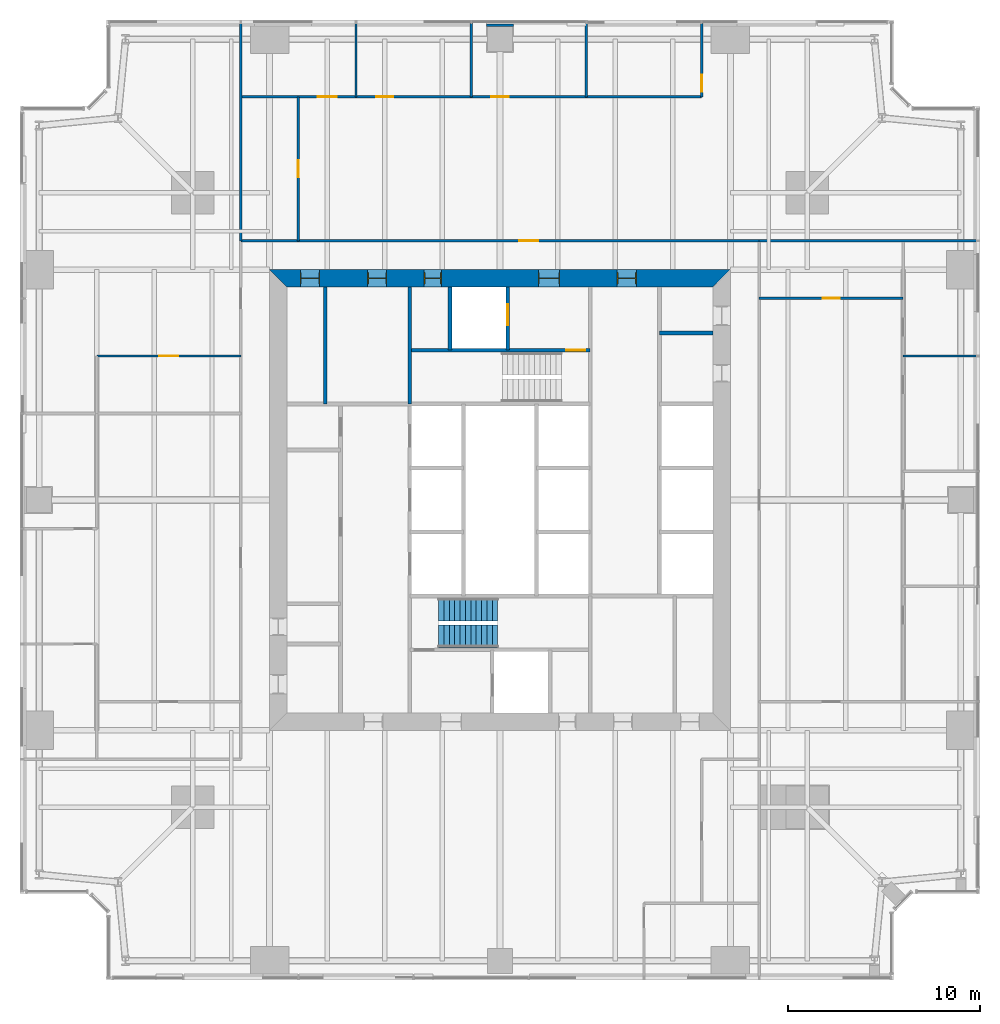
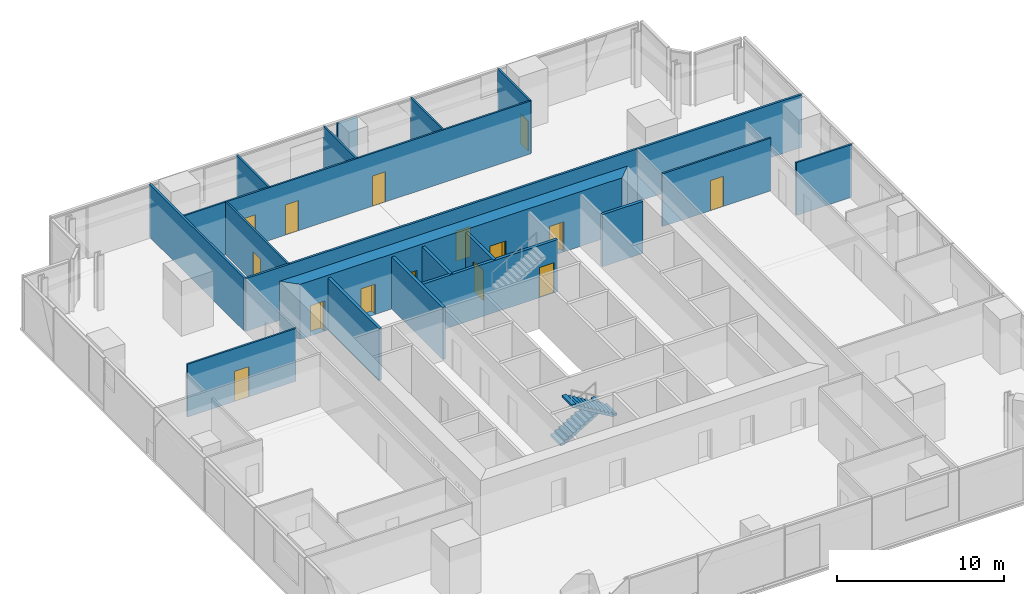
# One storey, part 11 of 14: 20 walls, 15 doors, 2 stair flights, 15 openings, 1 element without a shape of its own.
"""IFC4 building model written with IfcOpenShell, lengths in metres."""

from ifc_helpers import new_model, si_unit, direction, frame, frame_2d, origin, place, context, subcontext, project, spatial, polyline, rectangle, outline, extrude, material, layer, layer_set, type_object, element, fill, aggregate, save


model = new_model("IFC4")

# Units and contexts
model_context = context("Model", 3, precision=1e-05, world=origin(), true_north=direction((0.0, 1.0)))
body_context = subcontext(model_context, "Body", "Model", "MODEL_VIEW")
ifc_project = project(units=[si_unit("LENGTHUNIT", "METRE"), si_unit("AREAUNIT", "SQUARE_METRE"), si_unit("VOLUMEUNIT", "CUBIC_METRE"), si_unit("PLANEANGLEUNIT", "RADIAN"), si_unit("MASSUNIT", "GRAM", prefix="KILO")], contexts=[model_context])

# Site, building, storey
site_placement = place(None, origin())
site = spatial("IfcSite", under=ifc_project, at=site_placement, CompositionType="ELEMENT")
building_placement = place(site_placement, origin())
building = spatial("IfcBuilding", under=site, at=building_placement, Name="Fenwick Lantern Interchange", CompositionType="ELEMENT")
storey_placement = place(building_placement, frame((0.0, 0.0, 134.39990234375)))
storey = spatial("IfcBuildingStorey", under=building, at=storey_placement, Name="L31", CompositionType="ELEMENT", Elevation=134.39990234375)

# Wall
ifc_material_1 = material(Name="Fire-rated gypsum board encasement on steel studs, 2 hour", Category="steel")
ifc_layer_1 = layer(ifc_material_1, 1.39990234375)
ifc_layer_set_1 = layer_set([ifc_layer_1], Name="COLUMN PIER 1400")
wall_type_1 = type_object("IfcWallType", Name="COLUMN PIER 1400", PredefinedType="PARTITIONING", material=ifc_layer_set_1)
wall_1_placement = place(storey_placement, frame((25.0, 49.800048828125, 0.0), z_axis=(0.0, 0.0, 1.0), x_axis=(0.0, -1.0, 0.0)))
element("IfcWall", 1, at=wall_1_placement, inside=storey, type_object=wall_type_1, Name="L31/W/PIER/CN3", PredefinedType="PARTITIONING", context=body_context, shape_type="SweptSolid", body=[
    extrude(rectangle(XDim=0.150146484375, YDim=1.39990234375, at=frame_2d((0.0751953125, 0.0))), origin(), (0.0, 0.0, 1.0), 3.85009765625),
])

# Wall, opening, door
ifc_material_2 = material(Name="Concrete masonry ASTM C90 Grade N", Category="masonry")
ifc_layer_2 = layer(ifc_material_2, 0.199951171875)
ifc_layer_set_2 = layer_set([ifc_layer_2], Name="Concrete masonry ASTM C90 Grade N")
wall_type_2 = type_object("IfcWallType", Name="CORE PARTITION 200", PredefinedType="PARTITIONING", material=ifc_layer_set_2)
wall_2_placement = place(storey_placement, frame((25.39990234375, 36.10009765625, 0.0), z_axis=(0.0, 0.0, 1.0), x_axis=(0.0, -1.0, 0.0)))
wall_2 = element("IfcWall", 2, at=wall_2_placement, inside=storey, type_object=wall_type_2, Name="L31/W/COREN/h1", PredefinedType="PARTITIONING", context=body_context, shape_type="SweptSolid", body=[
    extrude(rectangle(XDim=3.300048828125, YDim=0.199951171875, at=frame_2d((1.64990234375, 0.0))), origin(), (0.0, 0.0, 1.0), 3.800048828125),
])
opening_1_placement = place(wall_2_placement, frame((0.89990234375, 0.0, 0.0)))
opening_1 = element("IfcOpeningElement", 3, at=opening_1_placement, cuts=wall_2, Name="Opening LD-FL2", PredefinedType="OPENING", context=body_context, shape_type="SweptSolid", body=[
    extrude(rectangle(XDim=1.10009765625, YDim=2.199951171875, at=frame_2d((0.550048828125, 1.10009765625))), frame((0.0, 0.10986328125, 0.0), z_axis=(0.0, -1.0, 0.0), x_axis=(1.0, 0.0, 0.0)), (0.0, 0.0, 1.0), 0.219970703125),
])
ifc_material_3 = material(Name="Steel door and frame", Category="steel")
door_type_1 = type_object("IfcDoorType", Name="LIFT LANDING DOOR 1100 X 2200", OperationType="DOUBLE_DOOR_SLIDING", PredefinedType="DOOR", material=ifc_material_3)
door_1_placement = place(opening_1_placement, origin())
door_1 = element("IfcDoor", 4, at=door_1_placement, inside=storey, type_object=door_type_1, Name="Lift landing door FL2", OperationType="DOUBLE_DOOR_SLIDING", OverallHeight=2.199951171875, OverallWidth=1.10009765625, PredefinedType="DOOR", context=body_context, shape_type="SweptSolid", body=[
    extrude(rectangle(XDim=1.10009765625, YDim=2.199951171875, at=frame_2d((0.550048828125, 1.10009765625))), frame((0.0, 0.02490234375, 0.0), z_axis=(0.0, -1.0, 0.0), x_axis=(1.0, 0.0, 0.0)), (0.0, 0.0, 1.0), 0.050048828125),
])
fill(opening_1, door_1)

# Walls
wall_3_placement = place(storey_placement, frame((22.39990234375, 36.10009765625, 0.0), z_axis=(0.0, 0.0, 1.0), x_axis=(0.0, -1.0, 0.0)))
element("IfcWall", 5, at=wall_3_placement, inside=storey, type_object=wall_type_2, Name="L31/W/COREN/h2", PredefinedType="PARTITIONING", context=body_context, shape_type="SweptSolid", body=[
    extrude(rectangle(XDim=3.300048828125, YDim=0.199951171875, at=frame_2d((1.64990234375, 0.0))), origin(), (0.0, 0.0, 1.0), 3.800048828125),
])
wall_4_placement = place(storey_placement, frame((15.89990234375, 36.10009765625, 0.0), z_axis=(0.0, 0.0, 1.0), x_axis=(0.0, -1.0, 0.0)))
element("IfcWall", 6, at=wall_4_placement, inside=storey, type_object=wall_type_2, Name="L31/W/COREN/i2", PredefinedType="PARTITIONING", context=body_context, shape_type="SweptSolid", body=[
    extrude(rectangle(XDim=6.10009765625, YDim=0.199951171875, at=frame_2d((3.050048828125, 0.0))), origin(), (0.0, 0.0, 1.0), 3.800048828125),
])
wall_5_placement = place(storey_placement, frame((36.10009765625, 33.699951171875, 0.0), z_axis=(0.0, 0.0, 1.0), x_axis=(-1.0, 0.0, 0.0)))
element("IfcWall", 7, at=wall_5_placement, inside=storey, type_object=wall_type_2, Name="L31/W/COREN/p1", PredefinedType="PARTITIONING", context=body_context, shape_type="SweptSolid", body=[
    extrude(rectangle(XDim=2.800048828125, YDim=0.199951171875, at=frame_2d((1.39990234375, 0.0))), origin(), (0.0, 0.0, 1.0), 3.800048828125),
])

# Wall, openings, doors
ifc_material_4 = material(Name="Concrete f'c 70 MPa", Category="concrete")
ifc_layer_3 = layer(ifc_material_4, 0.89990234375)
ifc_layer_set_3 = layer_set([ifc_layer_3], Name="CORE WALL 900")
wall_type_3 = type_object("IfcWallType", Name="CORE WALL 900", PredefinedType="SHEAR", material=ifc_layer_set_3)
wall_6_placement = place(storey_placement, frame((37.0, 36.550048828125, 0.0), z_axis=(0.0, 0.0, 1.0), x_axis=(-1.0, 0.0, 0.0)))
wall_6 = element("IfcWall", 8, at=wall_6_placement, inside=storey, type_object=wall_type_3, Name="L31/CORE/N", PredefinedType="SHEAR", context=body_context, shape_type="SweptSolid", body=[
    extrude(outline(polyline([(0.0, -0.449951171875), (24.0, -0.449951171875), (23.10009765625, 0.449951171875), (0.89990234375, 0.449951171875), (0.0, -0.449951171875)])), origin(), (0.0, 0.0, 1.0), 4.0),
])
opening_2_placement = place(wall_6_placement, frame((4.89990234375, 0.0, 0.0)))
opening_2 = element("IfcOpeningElement", 9, at=opening_2_placement, cuts=wall_6, Name="Opening L31-D011", PredefinedType="OPENING", context=body_context, shape_type="SweptSolid", body=[
    extrude(rectangle(XDim=1.0, YDim=2.199951171875, at=frame_2d((0.5, 1.10009765625))), frame((0.0, 0.4599609375, 0.0), z_axis=(0.0, -1.0, 0.0), x_axis=(1.0, 0.0, 0.0)), (0.0, 0.0, 1.0), 0.919921875),
])
opening_3_placement = place(wall_6_placement, frame((8.89990234375, 0.0, 0.0)))
opening_3 = element("IfcOpeningElement", 10, at=opening_3_placement, cuts=wall_6, Name="Opening L31-D012", PredefinedType="OPENING", context=body_context, shape_type="SweptSolid", body=[
    extrude(rectangle(XDim=1.10009765625, YDim=2.199951171875, at=frame_2d((0.550048828125, 1.10009765625))), frame((0.0, 0.4599609375, 0.0), z_axis=(0.0, -1.0, 0.0), x_axis=(1.0, 0.0, 0.0)), (0.0, 0.0, 1.0), 0.919921875),
])
opening_4_placement = place(wall_6_placement, frame((15.050048828125, 0.0, 0.0)))
opening_4 = element("IfcOpeningElement", 11, at=opening_4_placement, cuts=wall_6, Name="Opening L31-D014", PredefinedType="OPENING", context=body_context, shape_type="SweptSolid", body=[
    extrude(rectangle(XDim=0.89990234375, YDim=2.199951171875, at=frame_2d((0.449951171875, 1.10009765625))), frame((0.0, 0.4599609375, 0.0), z_axis=(0.0, -1.0, 0.0), x_axis=(1.0, 0.0, 0.0)), (0.0, 0.0, 1.0), 0.919921875),
])
opening_5_placement = place(wall_6_placement, frame((17.89990234375, 0.0, 0.0)))
opening_5 = element("IfcOpeningElement", 12, at=opening_5_placement, cuts=wall_6, Name="Opening L31-D015", PredefinedType="OPENING", context=body_context, shape_type="SweptSolid", body=[
    extrude(rectangle(XDim=1.0, YDim=2.199951171875, at=frame_2d((0.5, 1.10009765625))), frame((0.0, 0.4599609375, 0.0), z_axis=(0.0, -1.0, 0.0), x_axis=(1.0, 0.0, 0.0)), (0.0, 0.0, 1.0), 0.919921875),
])
opening_6_placement = place(wall_6_placement, frame((21.39990234375, 0.0, 0.0)))
opening_6 = element("IfcOpeningElement", 13, at=opening_6_placement, cuts=wall_6, Name="Opening L31-D016", PredefinedType="OPENING", context=body_context, shape_type="SweptSolid", body=[
    extrude(rectangle(XDim=1.0, YDim=2.199951171875, at=frame_2d((0.5, 1.10009765625))), frame((0.0, 0.4599609375, 0.0), z_axis=(0.0, -1.0, 0.0), x_axis=(1.0, 0.0, 0.0)), (0.0, 0.0, 1.0), 0.919921875),
])
door_type_2 = type_object("IfcDoorType", Name="CORE LOBBY DOOR 1000 X 2200", OperationType="SINGLE_SWING_LEFT", PredefinedType="DOOR", material=ifc_material_3)
door_2_placement = place(opening_2_placement, origin())
door_2 = element("IfcDoor", 14, at=door_2_placement, inside=storey, type_object=door_type_2, Name="Core lobby door", OperationType="SINGLE_SWING_LEFT", OverallHeight=2.199951171875, OverallWidth=1.0, PredefinedType="DOOR", context=body_context, shape_type="SweptSolid", body=[
    extrude(rectangle(XDim=1.0, YDim=2.199951171875, at=frame_2d((0.5, 1.10009765625))), frame((0.0, 0.02490234375, 0.0), z_axis=(0.0, -1.0, 0.0), x_axis=(1.0, 0.0, 0.0)), (0.0, 0.0, 1.0), 0.050048828125),
    extrude(outline(polyline([(0.0, 0.0), (0.0400390625, 0.0), (0.0400390625, 2.159912109375), (0.9599609375, 2.159912109375), (0.9599609375, 0.0), (1.0, 0.0), (1.0, 2.199951171875), (0.0, 2.199951171875), (0.0, 0.0)])), frame((0.0, 0.300048828125, 0.0), z_axis=(0.0, -1.0, 0.0), x_axis=(1.0, 0.0, 0.0)), (0.0, 0.0, 1.0), 0.60009765625),
])
fill(opening_2, door_2)
door_type_3 = type_object("IfcDoorType", Name="FIRE LOBBY DOOR 1100 X 2200", OperationType="SINGLE_SWING_LEFT", PredefinedType="DOOR", material=ifc_material_3)
door_3_placement = place(opening_3_placement, origin())
door_3 = element("IfcDoor", 15, at=door_3_placement, inside=storey, type_object=door_type_3, Name="Fire lobby door", OperationType="SINGLE_SWING_LEFT", OverallHeight=2.199951171875, OverallWidth=1.10009765625, PredefinedType="DOOR", context=body_context, shape_type="SweptSolid", body=[
    extrude(rectangle(XDim=1.10009765625, YDim=2.199951171875, at=frame_2d((0.550048828125, 1.10009765625))), frame((0.0, 0.02490234375, 0.0), z_axis=(0.0, -1.0, 0.0), x_axis=(1.0, 0.0, 0.0)), (0.0, 0.0, 1.0), 0.050048828125),
    extrude(outline(polyline([(0.0, 0.0), (0.0400390625, 0.0), (0.0400390625, 2.159912109375), (1.06005859375, 2.159912109375), (1.06005859375, 0.0), (1.10009765625, 0.0), (1.10009765625, 2.199951171875), (0.0, 2.199951171875), (0.0, 0.0)])), frame((0.0, 0.300048828125, 0.0), z_axis=(0.0, -1.0, 0.0), x_axis=(1.0, 0.0, 0.0)), (0.0, 0.0, 1.0), 0.60009765625),
])
fill(opening_3, door_3)
door_type_4 = type_object("IfcDoorType", Name="SERVICE DOOR 900 X 2200", OperationType="SINGLE_SWING_LEFT", PredefinedType="DOOR", material=ifc_material_3)
door_4_placement = place(opening_4_placement, origin())
door_4 = element("IfcDoor", 16, at=door_4_placement, inside=storey, type_object=door_type_4, Name="Service door", OperationType="SINGLE_SWING_LEFT", OverallHeight=2.199951171875, OverallWidth=0.89990234375, PredefinedType="DOOR", context=body_context, shape_type="SweptSolid", body=[
    extrude(rectangle(XDim=0.89990234375, YDim=2.199951171875, at=frame_2d((0.449951171875, 1.10009765625))), frame((0.0, 0.02490234375, 0.0), z_axis=(0.0, -1.0, 0.0), x_axis=(1.0, 0.0, 0.0)), (0.0, 0.0, 1.0), 0.050048828125),
    extrude(outline(polyline([(0.0, 0.0), (0.0400390625, 0.0), (0.0400390625, 2.159912109375), (0.85986328125, 2.159912109375), (0.85986328125, 0.0), (0.89990234375, 0.0), (0.89990234375, 2.199951171875), (0.0, 2.199951171875), (0.0, 0.0)])), frame((0.0, 0.300048828125, 0.0), z_axis=(0.0, -1.0, 0.0), x_axis=(1.0, 0.0, 0.0)), (0.0, 0.0, 1.0), 0.60009765625),
])
fill(opening_4, door_4)
ifc_material_5 = material(Name="Hardwood door and steel frame", Category="steel")
door_type_5 = type_object("IfcDoorType", Name="WC DOOR 1000 X 2200", OperationType="SINGLE_SWING_LEFT", PredefinedType="DOOR", material=ifc_material_5)
door_5_placement = place(opening_5_placement, origin())
door_5 = element("IfcDoor", 17, at=door_5_placement, inside=storey, type_object=door_type_5, Name="Wc door", OperationType="SINGLE_SWING_LEFT", OverallHeight=2.199951171875, OverallWidth=1.0, PredefinedType="DOOR", context=body_context, shape_type="SweptSolid", body=[
    extrude(rectangle(XDim=1.0, YDim=2.199951171875, at=frame_2d((0.5, 1.10009765625))), frame((0.0, 0.02490234375, 0.0), z_axis=(0.0, -1.0, 0.0), x_axis=(1.0, 0.0, 0.0)), (0.0, 0.0, 1.0), 0.050048828125),
    extrude(outline(polyline([(0.0, 0.0), (0.0400390625, 0.0), (0.0400390625, 2.159912109375), (0.9599609375, 2.159912109375), (0.9599609375, 0.0), (1.0, 0.0), (1.0, 2.199951171875), (0.0, 2.199951171875), (0.0, 0.0)])), frame((0.0, 0.300048828125, 0.0), z_axis=(0.0, -1.0, 0.0), x_axis=(1.0, 0.0, 0.0)), (0.0, 0.0, 1.0), 0.60009765625),
])
fill(opening_5, door_5)
door_6_placement = place(opening_6_placement, origin())
door_6 = element("IfcDoor", 18, at=door_6_placement, inside=storey, type_object=door_type_5, Name="Wc door", OperationType="SINGLE_SWING_LEFT", OverallHeight=2.199951171875, OverallWidth=1.0, PredefinedType="DOOR", context=body_context, shape_type="SweptSolid", body=[
    extrude(rectangle(XDim=1.0, YDim=2.199951171875, at=frame_2d((0.5, 1.10009765625))), frame((0.0, 0.02490234375, 0.0), z_axis=(0.0, -1.0, 0.0), x_axis=(1.0, 0.0, 0.0)), (0.0, 0.0, 1.0), 0.050048828125),
    extrude(outline(polyline([(0.0, 0.0), (0.0400390625, 0.0), (0.0400390625, 2.159912109375), (0.9599609375, 2.159912109375), (0.9599609375, 0.0), (1.0, 0.0), (1.0, 2.199951171875), (0.0, 2.199951171875), (0.0, 0.0)])), frame((0.0, 0.300048828125, 0.0), z_axis=(0.0, -1.0, 0.0), x_axis=(1.0, 0.0, 0.0)), (0.0, 0.0, 1.0), 0.60009765625),
])
fill(opening_6, door_6)

# Wall, opening, door
ifc_material_6 = material(Name="Gypsum board on steel studs, 1 hour", Category="steel")
ifc_layer_4 = layer(ifc_material_6, 0.14990234375)
ifc_layer_set_4 = layer_set([ifc_layer_4], Name="CORRIDOR WALL 150")
wall_type_4 = type_object("IfcWallType", Name="CORRIDOR WALL 150", PredefinedType="PARTITIONING", material=ifc_layer_set_4)
wall_7_placement = place(storey_placement, frame((38.5, 38.5, 0.0), z_axis=(0.0, 0.0, 1.0), x_axis=(-1.0, 0.0, 0.0)))
wall_7 = element("IfcWall", 19, at=wall_7_placement, inside=storey, type_object=wall_type_4, Name="L31/W/OFF/N/CW", PredefinedType="PARTITIONING", context=body_context, shape_type="SweptSolid", body=[
    extrude(rectangle(XDim=27.0, YDim=0.14990234375, at=frame_2d((13.5, 0.0))), origin(), (0.0, 0.0, 1.0), 3.85009765625),
])
opening_7_placement = place(wall_7_placement, frame((11.5, 0.0, 0.0)))
opening_7 = element("IfcOpeningElement", 20, at=opening_7_placement, cuts=wall_7, Name="Opening L31-D028", PredefinedType="OPENING", context=body_context, shape_type="SweptSolid", body=[
    extrude(rectangle(XDim=1.0, YDim=2.199951171875, at=frame_2d((0.5, 1.10009765625))), frame((0.0, 0.0849609375, 0.0), z_axis=(0.0, -1.0, 0.0), x_axis=(1.0, 0.0, 0.0)), (0.0, 0.0, 1.0), 0.169921875),
])
door_type_6 = type_object("IfcDoorType", Name="SUITE ENTRANCE DOOR 1000 X 2200", OperationType="SINGLE_SWING_LEFT", PredefinedType="DOOR", material=ifc_material_3)
door_7_placement = place(opening_7_placement, frame((1.0, 0.0, 0.0), z_axis=(0.0, 0.0, 1.0), x_axis=(-1.0, 0.0, 0.0)))
door_7 = element("IfcDoor", 21, at=door_7_placement, inside=storey, type_object=door_type_6, Name="Suite entrance door", OperationType="SINGLE_SWING_LEFT", OverallHeight=2.199951171875, OverallWidth=1.0, PredefinedType="DOOR", context=body_context, shape_type="SweptSolid", body=[
    extrude(rectangle(XDim=1.0, YDim=2.199951171875, at=frame_2d((0.5, 1.10009765625))), frame((0.0, 0.02490234375, 0.0), z_axis=(0.0, -1.0, 0.0), x_axis=(1.0, 0.0, 0.0)), (0.0, 0.0, 1.0), 0.050048828125),
])
fill(opening_7, door_7)

# Wall
ifc_material_7 = material(Name="Gypsum board on steel studs, acoustic", Category="steel")
ifc_layer_5 = layer(ifc_material_7, 0.125)
ifc_layer_set_5 = layer_set([ifc_layer_5], Name="OFFICE PARTITION 125")
wall_type_5 = type_object("IfcWallType", Name="OFFICE PARTITION 125", PredefinedType="PARTITIONING", material=ifc_layer_set_5)
wall_8_placement = place(storey_placement, frame((49.85009765625, 32.5, 0.0), z_axis=(0.0, 0.0, 1.0), x_axis=(-1.0, 0.0, 0.0)))
element("IfcWall", 22, at=wall_8_placement, inside=storey, type_object=wall_type_5, Name="L31/W/OFF/E/X325-1", PredefinedType="PARTITIONING", context=body_context, shape_type="SweptSolid", body=[
    extrude(rectangle(XDim=3.85009765625, YDim=0.125, at=frame_2d((1.925048828125, 0.0))), origin(), (0.0, 0.0, 1.0), 3.85009765625),
])

# Wall, opening, door
wall_9_placement = place(storey_placement, frame((46.0, 35.5, 0.0), z_axis=(0.0, 0.0, 1.0), x_axis=(-1.0, 0.0, 0.0)))
wall_9 = element("IfcWall", 23, at=wall_9_placement, inside=storey, type_object=wall_type_5, Name="L31/W/OFF/E/X355-1", PredefinedType="PARTITIONING", context=body_context, shape_type="SweptSolid", body=[
    extrude(rectangle(XDim=7.5, YDim=0.125, at=frame_2d((3.75, 0.0))), origin(), (0.0, 0.0, 1.0), 3.85009765625),
])
opening_8_placement = place(wall_9_placement, frame((3.300048828125, 0.0, 0.0)))
opening_8 = element("IfcOpeningElement", 24, at=opening_8_placement, cuts=wall_9, Name="Opening L31-D027", PredefinedType="OPENING", context=body_context, shape_type="SweptSolid", body=[
    extrude(rectangle(XDim=0.89990234375, YDim=2.199951171875, at=frame_2d((0.449951171875, 1.10009765625))), frame((0.0, 0.072509765625, 0.0), z_axis=(0.0, -1.0, 0.0), x_axis=(1.0, 0.0, 0.0)), (0.0, 0.0, 1.0), 0.14501953125),
])
door_type_7 = type_object("IfcDoorType", Name="OFFICE DOOR 900 X 2200", OperationType="SINGLE_SWING_LEFT", PredefinedType="DOOR", material=ifc_material_5)
door_8_placement = place(opening_8_placement, frame((0.89990234375, 0.0, 0.0), z_axis=(0.0, 0.0, 1.0), x_axis=(-1.0, 0.0, 0.0)))
door_8 = element("IfcDoor", 25, at=door_8_placement, inside=storey, type_object=door_type_7, Name="Office door", OperationType="SINGLE_SWING_RIGHT", OverallHeight=2.199951171875, OverallWidth=0.89990234375, PredefinedType="DOOR", context=body_context, shape_type="SweptSolid", body=[
    extrude(rectangle(XDim=0.89990234375, YDim=2.199951171875, at=frame_2d((0.449951171875, 1.10009765625))), frame((0.0, 0.02490234375, 0.0), z_axis=(0.0, -1.0, 0.0), x_axis=(1.0, 0.0, 0.0)), (0.0, 0.0, 1.0), 0.050048828125),
])
fill(opening_8, door_8)

wall_10_placement = place(storey_placement, frame((35.5, 49.85009765625, 0.0), z_axis=(0.0, 0.0, 1.0), x_axis=(0.0, -1.0, 0.0)))
wall_10 = element("IfcWall", 26, at=wall_10_placement, inside=storey, type_object=wall_type_5, Name="L31/W/OFF/N/X145-1", PredefinedType="PARTITIONING", context=body_context, shape_type="SweptSolid", body=[
    extrude(rectangle(XDim=3.85009765625, YDim=0.125, at=frame_2d((1.925048828125, 0.0))), origin(), (0.0, 0.0, 1.0), 3.85009765625),
])
opening_9_placement = place(wall_10_placement, frame((2.699951171875, 0.0, 0.0)))
opening_9 = element("IfcOpeningElement", 27, at=opening_9_placement, cuts=wall_10, Name="Opening L31-D029", PredefinedType="OPENING", context=body_context, shape_type="SweptSolid", body=[
    extrude(rectangle(XDim=0.89990234375, YDim=2.199951171875, at=frame_2d((0.449951171875, 1.10009765625))), frame((0.0, 0.072509765625, 0.0), z_axis=(0.0, -1.0, 0.0), x_axis=(1.0, 0.0, 0.0)), (0.0, 0.0, 1.0), 0.14501953125),
])
door_9_placement = place(opening_9_placement, frame((0.89990234375, 0.0, 0.0), z_axis=(0.0, 0.0, 1.0), x_axis=(-1.0, 0.0, 0.0)))
door_9 = element("IfcDoor", 28, at=door_9_placement, inside=storey, type_object=door_type_7, Name="Office door", OperationType="SINGLE_SWING_LEFT", OverallHeight=2.199951171875, OverallWidth=0.89990234375, PredefinedType="DOOR", context=body_context, shape_type="SweptSolid", body=[
    extrude(rectangle(XDim=0.89990234375, YDim=2.199951171875, at=frame_2d((0.449951171875, 1.10009765625))), frame((0.0, 0.02490234375, 0.0), z_axis=(0.0, -1.0, 0.0), x_axis=(1.0, 0.0, 0.0)), (0.0, 0.0, 1.0), 0.050048828125),
])
fill(opening_9, door_9)

# Walls
for number, where, z_axis, x_axis, name in (
    (29, (29.5, 49.85009765625, 0.0), (0.0, 0.0, 1.0), (0.0, -1.0, 0.0), "L31/W/OFF/N/X205-1"),
    (30, (23.5, 49.85009765625, 0.0), (0.0, 0.0, 1.0), (0.0, -1.0, 0.0), "L31/W/OFF/N/X265-1"),
    (31, (17.5, 49.85009765625, 0.0), (0.0, 0.0, 1.0), (0.0, -1.0, 0.0), "L31/W/OFF/N/X325-1"),
):
    element("IfcWall", number, at=place(storey_placement, frame(where, z_axis=z_axis, x_axis=x_axis)), inside=storey, type_object=wall_type_5, Name=name, PredefinedType="PARTITIONING", context=body_context, shape_type="SweptSolid", body=[
        extrude(rectangle(XDim=3.85009765625, YDim=0.125, at=frame_2d((1.925048828125, 0.0))), origin(), (0.0, 0.0, 1.0), 3.85009765625),
    ])

# Wall, opening, door
wall_11_placement = place(storey_placement, frame((14.5, 46.0, 0.0), z_axis=(0.0, 0.0, 1.0), x_axis=(0.0, -1.0, 0.0)))
wall_11 = element("IfcWall", 32, at=wall_11_placement, inside=storey, type_object=wall_type_5, Name="L31/W/OFF/N/X355-1", PredefinedType="PARTITIONING", context=body_context, shape_type="SweptSolid", body=[
    extrude(rectangle(XDim=7.5, YDim=0.125, at=frame_2d((3.75, 0.0))), origin(), (0.0, 0.0, 1.0), 3.85009765625),
])
opening_10_placement = place(wall_11_placement, frame((3.300048828125, 0.0, 0.0)))
opening_10 = element("IfcOpeningElement", 33, at=opening_10_placement, cuts=wall_11, Name="Opening L31-D033", PredefinedType="OPENING", context=body_context, shape_type="SweptSolid", body=[
    extrude(rectangle(XDim=0.89990234375, YDim=2.199951171875, at=frame_2d((0.449951171875, 1.10009765625))), frame((0.0, 0.072509765625, 0.0), z_axis=(0.0, -1.0, 0.0), x_axis=(1.0, 0.0, 0.0)), (0.0, 0.0, 1.0), 0.14501953125),
])
door_10_placement = place(opening_10_placement, frame((0.89990234375, 0.0, 0.0), z_axis=(0.0, 0.0, 1.0), x_axis=(-1.0, 0.0, 0.0)))
door_10 = element("IfcDoor", 34, at=door_10_placement, inside=storey, type_object=door_type_7, Name="Office door", OperationType="SINGLE_SWING_RIGHT", OverallHeight=2.199951171875, OverallWidth=0.89990234375, PredefinedType="DOOR", context=body_context, shape_type="SweptSolid", body=[
    extrude(rectangle(XDim=0.89990234375, YDim=2.199951171875, at=frame_2d((0.449951171875, 1.10009765625))), frame((0.0, 0.02490234375, 0.0), z_axis=(0.0, -1.0, 0.0), x_axis=(1.0, 0.0, 0.0)), (0.0, 0.0, 1.0), 0.050048828125),
])
fill(opening_10, door_10)

# Wall, openings, doors
wall_12_placement = place(storey_placement, frame((35.5, 46.0, 0.0), z_axis=(0.0, 0.0, 1.0), x_axis=(-1.0, 0.0, 0.0)))
wall_12 = element("IfcWall", 35, at=wall_12_placement, inside=storey, type_object=wall_type_5, Name="L31/W/OFF/N/Y40-1", PredefinedType="PARTITIONING", context=body_context, shape_type="SweptSolid", body=[
    extrude(rectangle(XDim=24.0, YDim=0.125, at=frame_2d((12.0, 0.0))), origin(), (0.0, 0.0, 1.0), 3.85009765625),
])
opening_11_placement = place(wall_12_placement, frame((10.050048828125, 0.0, 0.0)))
opening_11 = element("IfcOpeningElement", 36, at=opening_11_placement, cuts=wall_12, Name="Opening L31-D030", PredefinedType="OPENING", context=body_context, shape_type="SweptSolid", body=[
    extrude(rectangle(XDim=0.89990234375, YDim=2.199951171875, at=frame_2d((0.449951171875, 1.10009765625))), frame((0.0, 0.072509765625, 0.0), z_axis=(0.0, -1.0, 0.0), x_axis=(1.0, 0.0, 0.0)), (0.0, 0.0, 1.0), 0.14501953125),
])
opening_12_placement = place(wall_12_placement, frame((16.050048828125, 0.0, 0.0)))
opening_12 = element("IfcOpeningElement", 37, at=opening_12_placement, cuts=wall_12, Name="Opening L31-D031", PredefinedType="OPENING", context=body_context, shape_type="SweptSolid", body=[
    extrude(rectangle(XDim=0.89990234375, YDim=2.199951171875, at=frame_2d((0.449951171875, 1.10009765625))), frame((0.0, 0.072509765625, 0.0), z_axis=(0.0, -1.0, 0.0), x_axis=(1.0, 0.0, 0.0)), (0.0, 0.0, 1.0), 0.14501953125),
])
opening_13_placement = place(wall_12_placement, frame((19.0, 0.0, 0.0)))
opening_13 = element("IfcOpeningElement", 38, at=opening_13_placement, cuts=wall_12, Name="Opening L31-D032", PredefinedType="OPENING", context=body_context, shape_type="SweptSolid", body=[
    extrude(rectangle(XDim=1.0, YDim=2.199951171875, at=frame_2d((0.5, 1.10009765625))), frame((0.0, 0.072509765625, 0.0), z_axis=(0.0, -1.0, 0.0), x_axis=(1.0, 0.0, 0.0)), (0.0, 0.0, 1.0), 0.14501953125),
])
door_type_8 = type_object("IfcDoorType", Name="MEETING ROOM DOOR 1000 X 2200", OperationType="SINGLE_SWING_LEFT", PredefinedType="DOOR", material=ifc_material_5)
door_11_placement = place(opening_13_placement, frame((1.0, 0.0, 0.0), z_axis=(0.0, 0.0, 1.0), x_axis=(-1.0, 0.0, 0.0)))
door_11 = element("IfcDoor", 39, at=door_11_placement, inside=storey, type_object=door_type_8, Name="Meeting room door", OperationType="SINGLE_SWING_RIGHT", OverallHeight=2.199951171875, OverallWidth=1.0, PredefinedType="DOOR", context=body_context, shape_type="SweptSolid", body=[
    extrude(rectangle(XDim=1.0, YDim=2.199951171875, at=frame_2d((0.5, 1.10009765625))), frame((0.0, 0.02490234375, 0.0), z_axis=(0.0, -1.0, 0.0), x_axis=(1.0, 0.0, 0.0)), (0.0, 0.0, 1.0), 0.050048828125),
])
fill(opening_13, door_11)
door_12_placement = place(opening_11_placement, frame((0.89990234375, 0.0, 0.0), z_axis=(0.0, 0.0, 1.0), x_axis=(-1.0, 0.0, 0.0)))
door_12 = element("IfcDoor", 40, at=door_12_placement, inside=storey, type_object=door_type_7, Name="Office door", OperationType="SINGLE_SWING_LEFT", OverallHeight=2.199951171875, OverallWidth=0.89990234375, PredefinedType="DOOR", context=body_context, shape_type="SweptSolid", body=[
    extrude(rectangle(XDim=0.89990234375, YDim=2.199951171875, at=frame_2d((0.449951171875, 1.10009765625))), frame((0.0, 0.02490234375, 0.0), z_axis=(0.0, -1.0, 0.0), x_axis=(1.0, 0.0, 0.0)), (0.0, 0.0, 1.0), 0.050048828125),
])
fill(opening_11, door_12)
door_13_placement = place(opening_12_placement, frame((0.89990234375, 0.0, 0.0), z_axis=(0.0, 0.0, 1.0), x_axis=(-1.0, 0.0, 0.0)))
door_13 = element("IfcDoor", 41, at=door_13_placement, inside=storey, type_object=door_type_7, Name="Office door", OperationType="SINGLE_SWING_LEFT", OverallHeight=2.199951171875, OverallWidth=0.89990234375, PredefinedType="DOOR", context=body_context, shape_type="SweptSolid", body=[
    extrude(rectangle(XDim=0.89990234375, YDim=2.199951171875, at=frame_2d((0.449951171875, 1.10009765625))), frame((0.0, 0.02490234375, 0.0), z_axis=(0.0, -1.0, 0.0), x_axis=(1.0, 0.0, 0.0)), (0.0, 0.0, 1.0), 0.050048828125),
])
fill(opening_12, door_13)

# Wall, opening, door
wall_13_placement = place(storey_placement, frame((4.0, 32.5, 0.0), z_axis=(0.0, 0.0, 1.0), x_axis=(1.0, 0.0, 0.0)))
wall_13 = element("IfcWall", 42, at=wall_13_placement, inside=storey, type_object=wall_type_5, Name="L31/W/OFF/W/X175-1", PredefinedType="PARTITIONING", context=body_context, shape_type="SweptSolid", body=[
    extrude(rectangle(XDim=7.5, YDim=0.125, at=frame_2d((3.75, 0.0))), origin(), (0.0, 0.0, 1.0), 3.85009765625),
])
opening_14_placement = place(wall_13_placement, frame((3.25, 0.0, 0.0)))
opening_14 = element("IfcOpeningElement", 43, at=opening_14_placement, cuts=wall_13, Name="Opening L31-D035", PredefinedType="OPENING", context=body_context, shape_type="SweptSolid", body=[
    extrude(rectangle(XDim=1.0, YDim=2.199951171875, at=frame_2d((0.5, 1.10009765625))), frame((0.0, 0.072509765625, 0.0), z_axis=(0.0, -1.0, 0.0), x_axis=(1.0, 0.0, 0.0)), (0.0, 0.0, 1.0), 0.14501953125),
])
door_14_placement = place(opening_14_placement, frame((1.0, 0.0, 0.0), z_axis=(0.0, 0.0, 1.0), x_axis=(-1.0, 0.0, 0.0)))
door_14 = element("IfcDoor", 44, at=door_14_placement, inside=storey, type_object=door_type_8, Name="Meeting room door", OperationType="SINGLE_SWING_RIGHT", OverallHeight=2.199951171875, OverallWidth=1.0, PredefinedType="DOOR", context=body_context, shape_type="SweptSolid", body=[
    extrude(rectangle(XDim=1.0, YDim=2.199951171875, at=frame_2d((0.5, 1.10009765625))), frame((0.0, 0.02490234375, 0.0), z_axis=(0.0, -1.0, 0.0), x_axis=(1.0, 0.0, 0.0)), (0.0, 0.0, 1.0), 0.050048828125),
])
fill(opening_14, door_14)

ifc_material_8 = material(Name="Concrete f'c 45 MPa", Category="concrete")
ifc_layer_6 = layer(ifc_material_8, 0.199951171875)
ifc_layer_set_6 = layer_set([ifc_layer_6], Name="STAIR CORE WALL 200")
wall_type_6 = type_object("IfcWallType", Name="STAIR CORE WALL 200", PredefinedType="SOLIDWALL", material=ifc_layer_set_6)
wall_14_placement = place(storey_placement, frame((29.699951171875, 32.800048828125, 0.0), z_axis=(0.0, 0.0, 1.0), x_axis=(-1.0, 0.0, 0.0)))
wall_14 = element("IfcWall", 45, at=wall_14_placement, inside=storey, type_object=wall_type_6, Name="L31/W/COREN/g1", PredefinedType="SOLIDWALL", context=body_context, shape_type="SweptSolid", body=[
    extrude(rectangle(XDim=9.39990234375, YDim=0.199951171875, at=frame_2d((4.699951171875, 0.0))), origin(), (0.0, 0.0, 1.0), 3.800048828125),
])
opening_15_placement = place(wall_14_placement, frame((0.25, 0.0, 0.0)))
opening_15 = element("IfcOpeningElement", 46, at=opening_15_placement, cuts=wall_14, Name="Opening L31-D013", PredefinedType="OPENING", context=body_context, shape_type="SweptSolid", body=[
    extrude(rectangle(XDim=1.0, YDim=2.199951171875, at=frame_2d((0.5, 1.10009765625))), frame((0.0, 0.10986328125, 0.0), z_axis=(0.0, -1.0, 0.0), x_axis=(1.0, 0.0, 0.0)), (0.0, 0.0, 1.0), 0.219970703125),
])
door_type_9 = type_object("IfcDoorType", Name="STAIR DOOR 1000 X 2200", OperationType="SINGLE_SWING_LEFT", PredefinedType="DOOR", material=ifc_material_3)
door_15_placement = place(opening_15_placement, origin())
door_15 = element("IfcDoor", 47, at=door_15_placement, inside=storey, type_object=door_type_9, Name="Stair door", OperationType="SINGLE_SWING_LEFT", OverallHeight=2.199951171875, OverallWidth=1.0, PredefinedType="DOOR", context=body_context, shape_type="SweptSolid", body=[
    extrude(rectangle(XDim=1.0, YDim=2.199951171875, at=frame_2d((0.5, 1.10009765625))), frame((0.0, 0.02490234375, 0.0), z_axis=(0.0, -1.0, 0.0), x_axis=(1.0, 0.0, 0.0)), (0.0, 0.0, 1.0), 0.050048828125),
])
fill(opening_15, door_15)

# Walls
wall_15_placement = place(storey_placement, frame((20.300048828125, 36.10009765625, 0.0), z_axis=(0.0, 0.0, 1.0), x_axis=(0.0, -1.0, 0.0)))
element("IfcWall", 48, at=wall_15_placement, inside=storey, type_object=wall_type_6, Name="L31/W/COREN/i1", PredefinedType="SOLIDWALL", context=body_context, shape_type="SweptSolid", body=[
    extrude(rectangle(XDim=6.10009765625, YDim=0.199951171875, at=frame_2d((3.050048828125, 0.0))), origin(), (0.0, 0.0, 1.0), 3.800048828125),
])
ifc_material_9 = material(Name="Gypsum board on steel studs, 1 hour acoustic", Category="steel")
ifc_layer_7 = layer(ifc_material_9, 0.14990234375)
ifc_layer_set_7 = layer_set([ifc_layer_7], Name="TENANT WALL 150")
wall_type_7 = type_object("IfcWallType", Name="TENANT WALL 150", PredefinedType="PARTITIONING", material=ifc_layer_set_7)
for number, where, z_axis, x_axis, name in (
    (49, (49.85009765625, 38.5, 0.0), (0.0, 0.0, 1.0), (-1.0, 0.0, 0.0), "L31/W/OFF/N/BACK"),
    (50, (11.5, 49.85009765625, 0.0), (0.0, 0.0, 1.0), (0.0, -1.0, 0.0), "L31/W/OFF/W/BACK"),
):
    element("IfcWall", number, at=place(storey_placement, frame(where, z_axis=z_axis, x_axis=x_axis)), inside=storey, type_object=wall_type_7, Name=name, PredefinedType="PARTITIONING", context=body_context, shape_type="SweptSolid", body=[
        extrude(rectangle(XDim=11.35009765625, YDim=0.14990234375, at=frame_2d((5.675048828125, 0.0))), origin(), (0.0, 0.0, 1.0), 3.85009765625),
    ])

# Stair, stair flights
ifc_material_10 = material(Name="Precast concrete f'c 35 MPa", Category="concrete")
stair_type = type_object("IfcStairType", Name="EXIT STAIR 1200", PredefinedType="HALF_TURN_STAIR", material=ifc_material_10)
stair_placement = place(storey_placement, origin())
stair = element("IfcStair", 51, at=stair_placement, inside=storey, type_object=stair_type, Name="Exit stair ST1", PredefinedType="HALF_TURN_STAIR")
stair_flight_type = type_object("IfcStairFlightType", Name="STAIR FLIGHT 1200", PredefinedType="STRAIGHT", material=ifc_material_10)
stair_flight_1_placement = place(storey_placement, frame((21.800048828125, 19.300048828125, 0.0), z_axis=(0.0, 0.0, 1.0), x_axis=(1.0, 0.0, 0.0)))
stair_flight_1 = element("IfcStairFlight", 52, at=stair_flight_1_placement, type_object=stair_flight_type, Name="ST1 flight 1", NumberOfRisers=12, NumberOfTreads=11, PredefinedType="STRAIGHT", RiserHeight=0.166666667, TreadLength=0.28, context=body_context, shape_type="SweptSolid", body=[
    extrude(outline(polyline([(0.0, 0.0), (0.0, 0.166748046875), (0.280029296875, 0.166748046875), (0.280029296875, 0.333251953125), (0.56005859375, 0.333251953125), (0.56005859375, 0.5), (0.840087890625, 0.5), (0.840087890625, 0.666748046875), (1.1201171875, 0.666748046875), (1.1201171875, 0.833251953125), (1.39990234375, 0.833251953125), (1.39990234375, 1.0), (1.679931640625, 1.0), (1.679931640625, 1.166748046875), (1.9599609375, 1.166748046875), (1.9599609375, 1.333251953125), (2.239990234375, 1.333251953125), (2.239990234375, 1.5), (2.52001953125, 1.5), (2.52001953125, 1.666748046875), (2.800048828125, 1.666748046875), (2.800048828125, 1.833251953125), (3.080078125, 1.833251953125), (3.080078125, 2.0), (3.080078125, 1.658935546875), (0.29296875, 0.0), (0.0, 0.0)])), frame((0.0, 0.60009765625, 0.0), z_axis=(0.0, -1.0, 0.0), x_axis=(1.0, 0.0, 0.0)), (0.0, 0.0, 1.0), 1.199951171875),
])
stair_flight_2_placement = place(storey_placement, frame((24.8798828125, 17.89990234375, 2.0), z_axis=(0.0, 0.0, 1.0), x_axis=(-1.0, 0.0, 0.0)))
stair_flight_2 = element("IfcStairFlight", 53, at=stair_flight_2_placement, type_object=stair_flight_type, Name="ST1 flight 2", NumberOfRisers=12, NumberOfTreads=11, PredefinedType="STRAIGHT", RiserHeight=0.166666667, TreadLength=0.28, context=body_context, shape_type="SweptSolid", body=[
    extrude(outline(polyline([(0.0, 0.0), (0.0, 0.166748046875), (0.280029296875, 0.166748046875), (0.280029296875, 0.333251953125), (0.56005859375, 0.333251953125), (0.56005859375, 0.5), (0.840087890625, 0.5), (0.840087890625, 0.666748046875), (1.1201171875, 0.666748046875), (1.1201171875, 0.833251953125), (1.39990234375, 0.833251953125), (1.39990234375, 1.0), (1.679931640625, 1.0), (1.679931640625, 1.166748046875), (1.9599609375, 1.166748046875), (1.9599609375, 1.333251953125), (2.239990234375, 1.333251953125), (2.239990234375, 1.5), (2.52001953125, 1.5), (2.52001953125, 1.666748046875), (2.800048828125, 1.666748046875), (2.800048828125, 1.833251953125), (3.080078125, 1.833251953125), (3.080078125, 2.0), (3.080078125, 1.658935546875), (0.29296875, 0.0), (0.0, 0.0)])), frame((0.0, 0.60009765625, 0.0), z_axis=(0.0, -1.0, 0.0), x_axis=(1.0, 0.0, 0.0)), (0.0, 0.0, 1.0), 1.199951171875),
])
aggregate(stair, [stair_flight_1, stair_flight_2])

save(model, "model.ifc")
